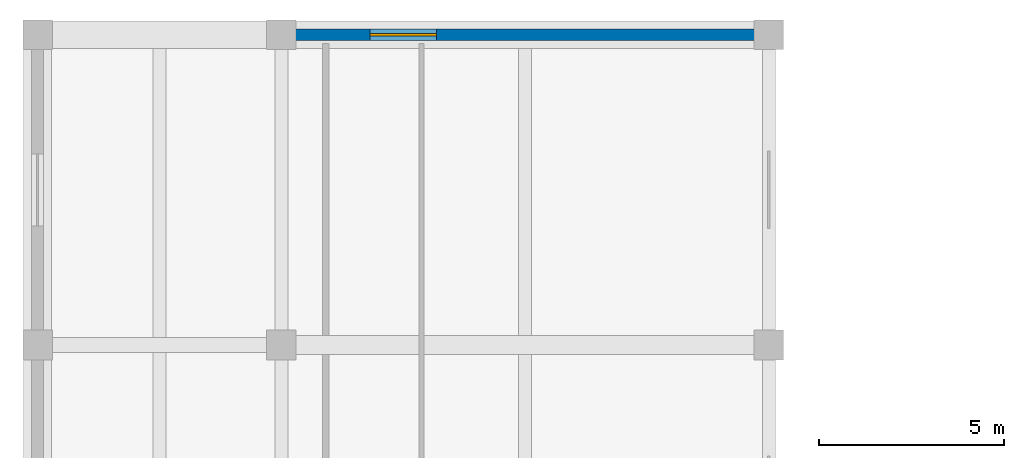
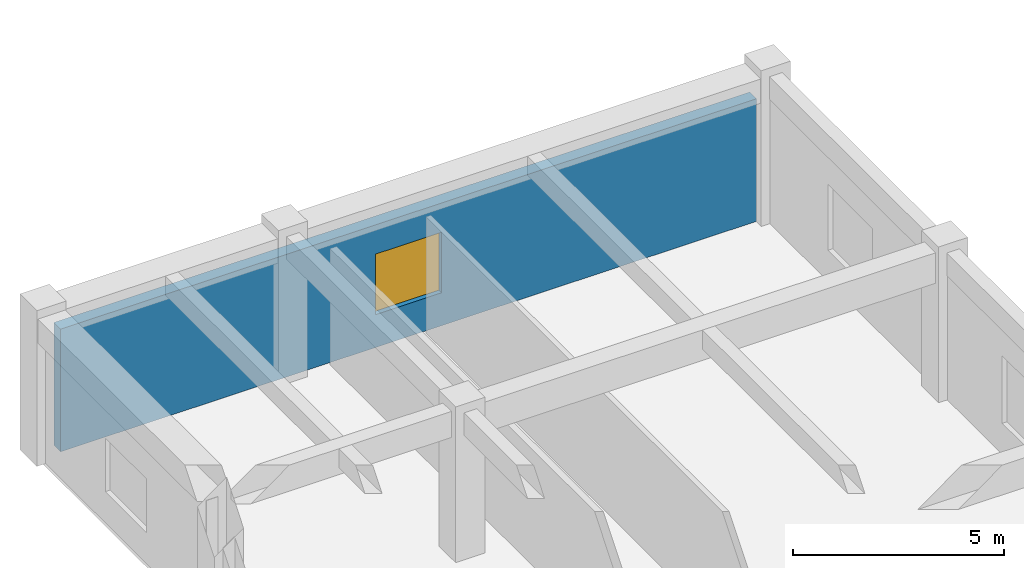
# One storey, part 47 of 57: 1 wall, 1 window, 1 opening.
"""IFC4 building model written with IfcOpenShell, lengths in metres."""

import ifcopenshell
import ifcopenshell.guid

model = None  # the IFC model being written
_history = None  # IfcOwnerHistory: only IFC2X3 demands one
_inside = {}  # id of a spatial element -> (the spatial element, [elements in it])
_under = {}  # id of a project, library or spatial element -> (it, [spatial elements below it])
_declared = {}  # id of a project -> (the project, [libraries it declares])
_typed = {}  # id of a type object -> (the type object, [elements of that type])
_made_of = {}  # id of a material, layer set ... -> (it, [elements and type objects made of it])


def new_model(schema):
    """Start an empty IFC model of exactly this schema.

    Asked for "IFC4X3", IfcOpenShell would pick the latest addendum, in which some entities
    have other attributes; the version numbers below select the first issue.
    IFC2X3 requires an IfcOwnerHistory on every rooted entity: one is made here for all.
    """
    global model, _history
    if schema == "IFC4X3":
        model = ifcopenshell.file(schema_version=(4, 3, 0, 0))
    else:
        model = ifcopenshell.file(schema=schema)
    _inside.clear()
    _under.clear()
    _declared.clear()
    _typed.clear()
    _made_of.clear()
    _history = None
    if model.schema == "IFC2X3":
        org = make("IfcOrganization", Name="unknown")
        user = make(
            "IfcPersonAndOrganization",
            ThePerson=make("IfcPerson", FamilyName="unknown"),
            TheOrganization=org,
        )
        app = make(
            "IfcApplication",
            ApplicationDeveloper=org,
            Version="unknown",
            ApplicationFullName="unknown",
            ApplicationIdentifier="unknown",
        )
        _history = make(
            "IfcOwnerHistory",
            OwningUser=user,
            OwningApplication=app,
            ChangeAction="ADDED",
            CreationDate=0,
        )
    return model


def make(cls, **values):
    """One entity of the class cls with the attributes given. An attribute that is None is left unset."""
    return model.create_entity(
        cls, **{name: value for name, value in values.items() if value is not None}
    )


def rooted(cls, **values):
    """An entity with a GlobalId (a new one), such as an element, a storey or a relation."""
    return make(cls, GlobalId=ifcopenshell.guid.new(), OwnerHistory=_history, **values)


def si_unit(unit_type, name, prefix=None):
    """IfcSIUnit, for example si_unit("LENGTHUNIT", "METRE", prefix="MILLI")."""
    return make("IfcSIUnit", UnitType=unit_type, Prefix=prefix, Name=name)


def assignment(units):
    """IfcUnitAssignment: the units of a project."""
    return None if units is None else make("IfcUnitAssignment", Units=units)


def point(xyz):
    """IfcCartesianPoint."""
    return None if xyz is None else make("IfcCartesianPoint", Coordinates=xyz)


def direction(xyz):
    """IfcDirection."""
    return None if xyz is None else make("IfcDirection", DirectionRatios=xyz)


def frame(location, z_axis=None, x_axis=None):
    """IfcAxis2Placement3D, a coordinate frame: its origin and axes. An axis left out is left unset."""
    return make(
        "IfcAxis2Placement3D",
        Location=point(location),
        Axis=direction(z_axis),
        RefDirection=direction(x_axis),
    )


def frame_2d(location, x_axis=None):
    """IfcAxis2Placement2D, a coordinate frame in the plane: its origin and x axis."""
    return make(
        "IfcAxis2Placement2D", Location=point(location), RefDirection=direction(x_axis)
    )


def origin():
    """The frame at (0, 0, 0) with its axes left unset."""
    return frame((0.0, 0.0, 0.0))


def place(relative_to, where):
    """IfcLocalPlacement: puts the frame where relative to a parent placement (None: the world)."""
    return make(
        "IfcLocalPlacement", PlacementRelTo=relative_to, RelativePlacement=where
    )


def context(
    kind, dimensions, precision=None, world=None, true_north=None, identifier=None
):
    """IfcGeometricRepresentationContext, for example the 3D "Model" context."""
    return make(
        "IfcGeometricRepresentationContext",
        ContextIdentifier=identifier,
        ContextType=kind,
        CoordinateSpaceDimension=dimensions,
        Precision=precision,
        WorldCoordinateSystem=world,
        TrueNorth=true_north,
    )


def subcontext(parent, identifier, kind, view, scale=None):
    """IfcGeometricRepresentationSubContext, for example "Body" below "Model"."""
    return make(
        "IfcGeometricRepresentationSubContext",
        ContextIdentifier=identifier,
        ContextType=kind,
        ParentContext=parent,
        TargetScale=scale,
        TargetView=view,
    )


def project(units=None, contexts=None):
    """IfcProject with its units and contexts."""
    return rooted(
        "IfcProject",
        Name="project",
        RepresentationContexts=contexts,
        UnitsInContext=assignment(units),
    )


def spatial(cls, under=None, at=None, **own):
    """A site, building, storey or space (cls), placed at a placement, below another one or the project."""
    s = rooted(cls, ObjectPlacement=at, **own)
    if under is not None:
        _under.setdefault(under.id(), (under, []))[1].append(s)
    return s


def profile(cls, at=None, kind="AREA", **sizes):
    """A parametric profile (cls). Its sizes go by their IFC names, for example OverallWidth=200.0."""
    return make(cls, ProfileType=kind, Position=at, **sizes)


def rectangle(**sizes):
    """IfcRectangleProfileDef."""
    return profile("IfcRectangleProfileDef", **sizes)


def extrude(swept, where, along, depth):
    """IfcExtrudedAreaSolid: the profile swept, set in the frame where, extruded along a direction by depth."""
    return make(
        "IfcExtrudedAreaSolid",
        SweptArea=swept,
        Position=where,
        ExtrudedDirection=direction(along),
        Depth=depth,
    )


def shape(context_of_items, identifier, shape_type, items):
    """IfcShapeRepresentation: the items that make up one representation, for example the "Body"."""
    return make(
        "IfcShapeRepresentation",
        ContextOfItems=context_of_items,
        RepresentationIdentifier=identifier,
        RepresentationType=shape_type,
        Items=items,
    )


def material(Name=None, Category=None):
    """IfcMaterial."""
    return make("IfcMaterial", Name=Name, Category=Category)


def layer(
    of_material, thickness, ventilated=None, Name=None, Category=None, Priority=None
):
    """IfcMaterialLayer: one layer of a wall or slab, of a material (None: an air gap)."""
    return make(
        "IfcMaterialLayer",
        Material=of_material,
        LayerThickness=thickness,
        IsVentilated=ventilated,
        Name=Name,
        Category=Category,
        Priority=Priority,
    )


def layer_set(layers, Name=None):
    """IfcMaterialLayerSet."""
    return make("IfcMaterialLayerSet", MaterialLayers=layers, LayerSetName=Name)


def made_of(thing, what):
    """Note that an element or type object is made of a material, layer set ...; save() writes the relation."""
    if what is not None:
        _made_of.setdefault(what.id(), (what, []))[1].append(thing)
    return thing


def type_object(cls, material=None, **own):
    """A type object (cls), such as IfcWallType, which elements share."""
    return made_of(rooted(cls, **own), material)


def element(
    cls,
    number,
    at=None,
    inside=None,
    cuts=None,
    type_object=None,
    material=None,
    context=None,
    identifier="Body",
    shape_type=None,
    held_by="IfcProductDefinitionShape",
    body=None,
    shapes=None,
    **own,
):
    """One element of the class cls, such as IfcWall. Its Tag is "e" and its number.

    at: its placement. inside: the storey or other place that contains it. cuts: it is an
    opening in that element (IfcRelVoidsElement). A single representation is given by context,
    identifier, shape_type and body (its items); several are given by shapes. held_by: the class
    of the entity that holds the representations. save() writes the other relations.
    """
    e = rooted(cls, Tag="e%d" % number, ObjectPlacement=at, **own)
    if body is not None:
        shapes = [shape(context, identifier, shape_type, body)]
    if shapes is not None:
        e.Representation = make(held_by, Representations=shapes)
    if inside is not None:
        _inside.setdefault(inside.id(), (inside, []))[1].append(e)
    if cuts is not None:
        rooted(
            "IfcRelVoidsElement", RelatingBuildingElement=cuts, RelatedOpeningElement=e
        )
    if type_object is not None:
        _typed.setdefault(type_object.id(), (type_object, []))[1].append(e)
    return made_of(e, material)


def fill(opening, filler):
    """IfcRelFillsElement: the door or window that sits in an opening."""
    return rooted(
        "IfcRelFillsElement",
        RelatingOpeningElement=opening,
        RelatedBuildingElement=filler,
    )


def aggregate(whole, parts):
    """IfcRelAggregates: a whole, such as a stair, and the parts it consists of."""
    return rooted("IfcRelAggregates", RelatingObject=whole, RelatedObjects=parts)


def save(model, path):
    """Write the relations noted so far, then the file.

    IfcRelAggregates (storeys below a building ...), IfcRelContainedInSpatialStructure (elements
    in a storey), IfcRelDefinesByType, IfcRelAssociatesMaterial and IfcRelDeclares: one each for
    every whole, place, type object, material and project.
    """
    for whole, parts in _under.values():
        aggregate(whole, parts)
    for where, things in _inside.values():
        rooted(
            "IfcRelContainedInSpatialStructure",
            RelatedElements=things,
            RelatingStructure=where,
        )
    for kind, things in _typed.values():
        rooted("IfcRelDefinesByType", RelatedObjects=things, RelatingType=kind)
    for what, things in _made_of.values():
        rooted("IfcRelAssociatesMaterial", RelatedObjects=things, RelatingMaterial=what)
    for by, libraries in _declared.values():
        rooted("IfcRelDeclares", RelatingContext=by, RelatedDefinitions=libraries)
    model.write(path)


model = new_model("IFC4")

# Units and contexts
model_context = context("Model", 3, precision=1e-05, world=origin(), true_north=direction((0.0, 1.0)))
body_context = subcontext(model_context, "Body", "Model", "MODEL_VIEW")
ifc_project = project(units=[si_unit("LENGTHUNIT", "METRE"), si_unit("AREAUNIT", "SQUARE_METRE"), si_unit("VOLUMEUNIT", "CUBIC_METRE"), si_unit("PLANEANGLEUNIT", "RADIAN"), si_unit("MASSUNIT", "GRAM", prefix="KILO")], contexts=[model_context])

# Site, building, storey
site_placement = place(None, origin())
site = spatial("IfcSite", under=ifc_project, at=site_placement, CompositionType="ELEMENT")
building_placement = place(site_placement, origin())
building = spatial("IfcBuilding", under=site, at=building_placement, Name="Miralva Faculty of Natural Sciences", CompositionType="ELEMENT")
storey_placement = place(building_placement, frame((0.0, 0.0, 15.0)))
storey = spatial("IfcBuildingStorey", under=building, at=storey_placement, Name="L03", CompositionType="ELEMENT", Elevation=15.0)

# Wall, opening, window
ifc_material_1 = material(Name="Precast concrete C40/50", Category="concrete")
ifc_layer = layer(ifc_material_1, 0.320068359375, Name="WL-WT02")
ifc_layer_set = layer_set([ifc_layer], Name="Precast concrete C40/50")
wall_type = type_object("IfcWallType", Name="WL-WT02", PredefinedType="SOLIDWALL", material=ifc_layer_set)
wall_placement = place(storey_placement, frame((3.385009765625, 117.0, 0.0), z_axis=(0.0, 0.0, 1.0), x_axis=(1.0, 0.0, 0.0)))
wall = element("IfcWall", 1, at=wall_placement, inside=storey, type_object=wall_type, Name="Exterior wall L03-253", PredefinedType="SOLIDWALL", context=body_context, shape_type="SweptSolid", body=[
    extrude(rectangle(XDim=19.030029296875, YDim=0.320068359375, at=frame_2d((9.51513671875, 0.0))), origin(), (0.0, 0.0, 1.0), 3.544921875),
])
opening_placement = place(wall_placement, frame((8.614990234375, 0.0, 0.949951171875)))
opening = element("IfcOpeningElement", 2, at=opening_placement, cuts=wall, Name="Opening W-10", PredefinedType="OPENING", context=body_context, shape_type="SweptSolid", body=[
    extrude(rectangle(XDim=1.800048828125, YDim=1.75, at=frame_2d((0.89990234375, 0.875))), frame((0.0, 0.169921875, 0.0), z_axis=(0.0, -1.0, 0.0), x_axis=(1.0, 0.0, 0.0)), (0.0, 0.0, 1.0), 0.340087890625),
])
ifc_material_2 = material(Name="Laminated solar-control glass", Category="glass")
window_type = type_object("IfcWindowType", Name="WN-W10", PartitioningType="DOUBLE_PANEL_HORIZONTAL", PredefinedType="WINDOW", material=ifc_material_2)
window_placement = place(opening_placement, origin())
window = element("IfcWindow", 3, at=window_placement, inside=storey, type_object=window_type, Name="Window W-10 L03-190", OverallHeight=1.75, OverallWidth=1.800048828125, PartitioningType="DOUBLE_PANEL_HORIZONTAL", PredefinedType="WINDOW", context=body_context, shape_type="SweptSolid", body=[
    extrude(rectangle(XDim=1.800048828125, YDim=1.75, at=frame_2d((0.89990234375, 0.875))), frame((0.0, 0.030029296875, 0.0), z_axis=(0.0, -1.0, 0.0), x_axis=(1.0, 0.0, 0.0)), (0.0, 0.0, 1.0), 0.06005859375),
])
fill(opening, window)

save(model, "model.ifc")
